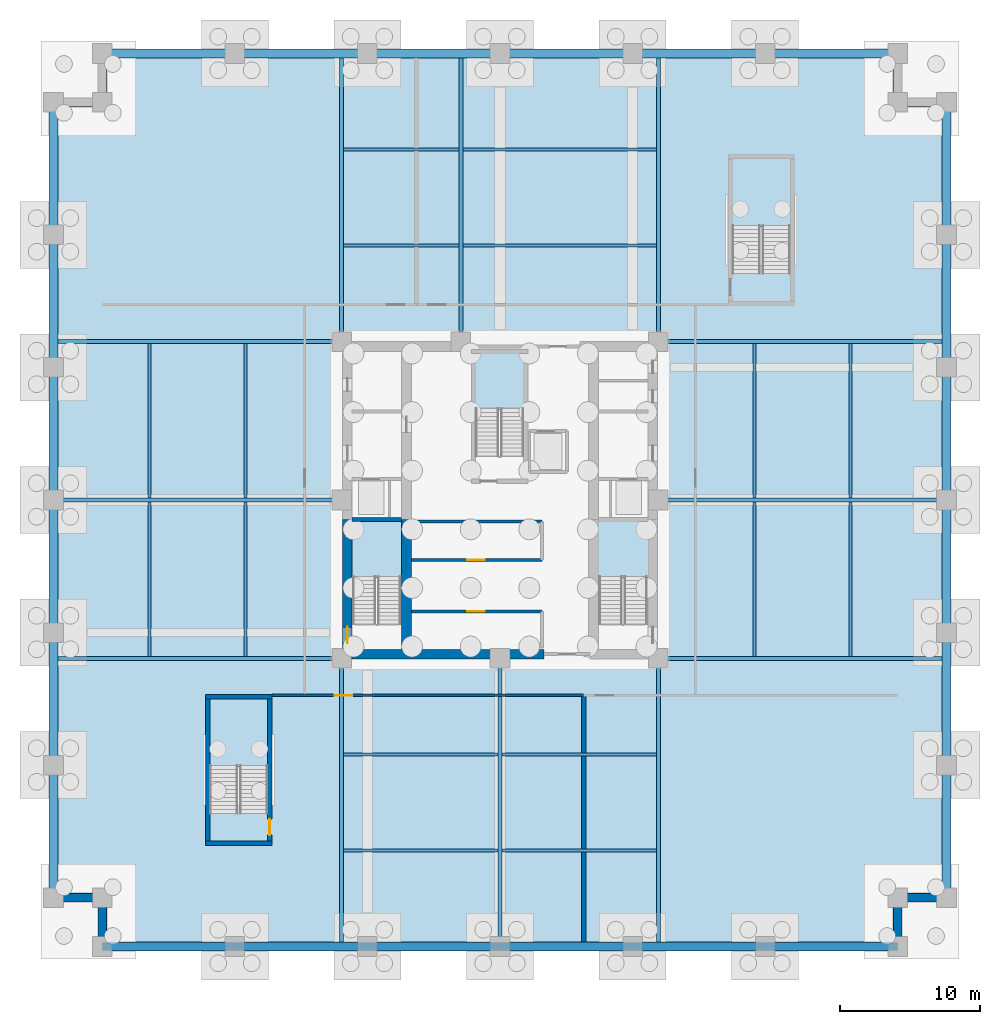
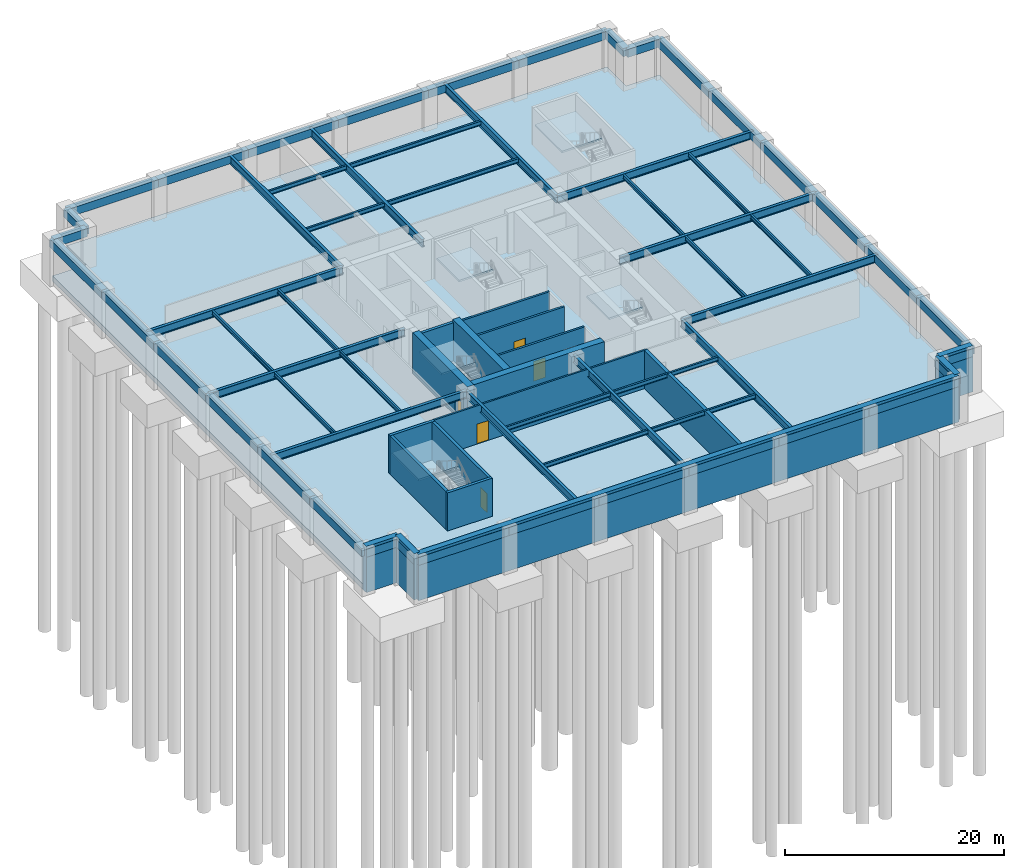
# One storey, part 2 of 8: 60 beams, 18 walls, 6 slabs, 5 doors, 5 openings, 5 elements without a shape of their own.
"""IFC4 building model written with IfcOpenShell, lengths in metres."""

from ifc_helpers import new_model, si_unit, direction, frame, frame_2d, origin, origin_2d, place, context, subcontext, project, spatial, polyline, rectangle, i_section, outline, extrude, material, layer, layer_set, material_profile, profile_set, type_object, element, fill, aggregate, save


model = new_model("IFC4")

# Units and contexts
model_context = context("Model", 3, precision=1e-05, world=origin(), true_north=direction((0.0, 1.0)))
body_context = subcontext(model_context, "Body", "Model", "MODEL_VIEW")
ifc_project = project(units=[si_unit("LENGTHUNIT", "METRE"), si_unit("AREAUNIT", "SQUARE_METRE"), si_unit("VOLUMEUNIT", "CUBIC_METRE"), si_unit("PLANEANGLEUNIT", "RADIAN"), si_unit("MASSUNIT", "GRAM", prefix="KILO")], contexts=[model_context])

# Site, building, storey
site_placement = place(None, origin())
site = spatial("IfcSite", under=ifc_project, at=site_placement, CompositionType="ELEMENT")
building_placement = place(site_placement, origin())
building = spatial("IfcBuilding", under=site, at=building_placement, Name="Nhamokura Convention Tower", CompositionType="ELEMENT")
storey_placement = place(building_placement, frame((0.0, 0.0, -9.10009765625)))
storey = spatial("IfcBuildingStorey", under=building, at=storey_placement, Name="B02", CompositionType="ELEMENT", Elevation=-9.10009765625)

# Beams
ifc_material_1 = material(Name="Steel ASTM A992 Gr 50", Category="steel")
ifc_material_profile_1 = material_profile(ifc_material_1, i_section(OverallWidth=0.19189453125, OverallDepth=0.462890625, WebThickness=0.010498046875, FlangeThickness=0.017578125, at=origin_2d()))
ifc_profile_set_1 = profile_set([ifc_material_profile_1], Name="Steel ASTM A992 Gr 50")
beam_type_1 = type_object("IfcBeamType", Name="FloorJoist_W460X89", PredefinedType="JOIST", material=ifc_profile_set_1)
for number, where, z_axis, x_axis, name in (
    (1, (20.794921875, 6.88330078125, 4.0185546875), (1.0, 0.0, 0.0), (0.0, 1.0, 0.0), "B02 Composite Floor Joist S1A"),
    (2, (32.14501953125, 6.88330078125, 4.0185546875), (1.0, 0.0, 0.0), (0.0, 1.0, 0.0), "B02 Composite Floor Joist S1B"),
    (3, (20.794921875, 13.7666015625, 4.0185546875), (1.0, 0.0, 0.0), (0.0, 1.0, 0.0), "B02 Composite Floor Joist S2A"),
    (4, (32.14501953125, 13.7666015625, 4.0185546875), (1.0, 0.0, 0.0), (0.0, 1.0, 0.0), "B02 Composite Floor Joist S2B"),
):
    element("IfcBeam", number, at=place(storey_placement, frame(where, z_axis=z_axis, x_axis=x_axis)), inside=storey, type_object=beam_type_1, Name=name, PredefinedType="JOIST", context=body_context, shape_type="SweptSolid", body=[
        extrude(i_section(OverallWidth=0.19189453125, OverallDepth=0.462890625, WebThickness=0.010498046875, FlangeThickness=0.017578125, at=origin_2d()), origin(), (0.0, 0.0, 1.0), 11.06005859375),
    ])
beam_1_placement = place(storey_placement, frame((20.794921875, 50.2333984375, 4.0185546875), z_axis=(1.0, 0.0, 0.0), x_axis=(0.0, 1.0, 0.0)))
element("IfcBeam", 5, at=beam_1_placement, inside=storey, type_object=beam_type_1, Name="B02 Composite Floor Joist N1A", PredefinedType="JOIST", context=body_context, shape_type="SweptSolid", body=[
    extrude(i_section(OverallWidth=0.19189453125, OverallDepth=0.462890625, WebThickness=0.010498046875, FlangeThickness=0.017578125, at=origin_2d()), origin(), (0.0, 0.0, 1.0), 8.260009765625),
])
beam_2_placement = place(storey_placement, frame((29.344970703125, 50.2333984375, 4.0185546875), z_axis=(1.0, 0.0, 0.0), x_axis=(0.0, 1.0, 0.0)))
element("IfcBeam", 6, at=beam_2_placement, inside=storey, type_object=beam_type_1, Name="B02 Composite Floor Joist N1B", PredefinedType="JOIST", context=body_context, shape_type="SweptSolid", body=[
    extrude(i_section(OverallWidth=0.19189453125, OverallDepth=0.462890625, WebThickness=0.010498046875, FlangeThickness=0.017578125, at=origin_2d()), origin(), (0.0, 0.0, 1.0), 13.860107421875),
])
beam_3_placement = place(storey_placement, frame((20.794921875, 57.11669921875, 4.0185546875), z_axis=(1.0, 0.0, 0.0), x_axis=(0.0, 1.0, 0.0)))
element("IfcBeam", 7, at=beam_3_placement, inside=storey, type_object=beam_type_1, Name="B02 Composite Floor Joist N2A", PredefinedType="JOIST", context=body_context, shape_type="SweptSolid", body=[
    extrude(i_section(OverallWidth=0.19189453125, OverallDepth=0.462890625, WebThickness=0.010498046875, FlangeThickness=0.017578125, at=origin_2d()), origin(), (0.0, 0.0, 1.0), 8.260009765625),
])
beam_4_placement = place(storey_placement, frame((29.344970703125, 57.11669921875, 4.0185546875), z_axis=(1.0, 0.0, 0.0), x_axis=(0.0, 1.0, 0.0)))
element("IfcBeam", 8, at=beam_4_placement, inside=storey, type_object=beam_type_1, Name="B02 Composite Floor Joist N2B", PredefinedType="JOIST", context=body_context, shape_type="SweptSolid", body=[
    extrude(i_section(OverallWidth=0.19189453125, OverallDepth=0.462890625, WebThickness=0.010498046875, FlangeThickness=0.017578125, at=origin_2d()), origin(), (0.0, 0.0, 1.0), 13.860107421875),
])
for number, where, z_axis, x_axis, name in (
    (9, (6.88330078125, 20.794921875, 4.0185546875), (0.0, 1.0, 0.0), (-1.0, 0.0, 0.0), "B02 Composite Floor Joist W1A"),
    (10, (6.88330078125, 32.14501953125, 4.0185546875), (0.0, 1.0, 0.0), (-1.0, 0.0, 0.0), "B02 Composite Floor Joist W1B"),
    (11, (13.7666015625, 20.794921875, 4.0185546875), (0.0, 1.0, 0.0), (-1.0, 0.0, 0.0), "B02 Composite Floor Joist W2A"),
    (12, (13.7666015625, 32.14501953125, 4.0185546875), (0.0, 1.0, 0.0), (-1.0, 0.0, 0.0), "B02 Composite Floor Joist W2B"),
    (13, (50.2333984375, 20.794921875, 4.0185546875), (0.0, 1.0, 0.0), (-1.0, 0.0, 0.0), "B02 Composite Floor Joist E1A"),
    (14, (50.2333984375, 32.14501953125, 4.0185546875), (0.0, 1.0, 0.0), (-1.0, 0.0, 0.0), "B02 Composite Floor Joist E1B"),
    (15, (57.11669921875, 20.794921875, 4.0185546875), (0.0, 1.0, 0.0), (-1.0, 0.0, 0.0), "B02 Composite Floor Joist E2A"),
    (16, (57.11669921875, 32.14501953125, 4.0185546875), (0.0, 1.0, 0.0), (-1.0, 0.0, 0.0), "B02 Composite Floor Joist E2B"),
):
    element("IfcBeam", number, at=place(storey_placement, frame(where, z_axis=z_axis, x_axis=x_axis)), inside=storey, type_object=beam_type_1, Name=name, PredefinedType="JOIST", context=body_context, shape_type="SweptSolid", body=[
        extrude(i_section(OverallWidth=0.19189453125, OverallDepth=0.462890625, WebThickness=0.010498046875, FlangeThickness=0.017578125, at=origin_2d()), origin(), (0.0, 0.0, 1.0), 11.06005859375),
    ])
ifc_material_2 = material(Name="Steel ASTM A992 Gr 50", Category="steel")
ifc_material_profile_2 = material_profile(ifc_material_2, i_section(OverallWidth=0.2939453125, OverallDepth=0.85107421875, WebThickness=0.01611328125, FlangeThickness=0.02685546875, at=origin_2d()))
ifc_profile_set_2 = profile_set([ifc_material_profile_2], Name="Steel ASTM A992 Gr 50")
beam_type_2 = type_object("IfcBeamType", Name="HallGirder_W840X226", PredefinedType="BEAM", material=ifc_profile_set_2)
for number, where, z_axis, x_axis, name in (
    (17, (20.64990234375, 0.0, 3.82470703125), (0.0, 1.0, 0.0), (-1.0, 0.0, 0.0), "B02 Primary Floor Girder PG-S1"),
    (18, (32.0, 0.0, 3.82470703125), (0.0, 1.0, 0.0), (-1.0, 0.0, 0.0), "B02 Primary Floor Girder PG-S2"),
    (19, (43.35009765625, 0.0, 3.82470703125), (0.0, 1.0, 0.0), (-1.0, 0.0, 0.0), "B02 Primary Floor Girder PG-S3"),
    (20, (20.64990234375, 43.35009765625, 3.82470703125), (0.0, 1.0, 0.0), (-1.0, 0.0, 0.0), "B02 Primary Floor Girder PG-N1"),
    (21, (29.199951171875, 43.35009765625, 3.82470703125), (0.0, 1.0, 0.0), (-1.0, 0.0, 0.0), "B02 Primary Floor Girder PG-N2"),
    (22, (43.35009765625, 43.35009765625, 3.82470703125), (0.0, 1.0, 0.0), (-1.0, 0.0, 0.0), "B02 Primary Floor Girder PG-N3"),
    (23, (0.0, 20.64990234375, 3.82470703125), (1.0, 0.0, 0.0), (0.0, 1.0, 0.0), "B02 Primary Floor Girder PG-W1"),
    (24, (0.0, 32.0, 3.82470703125), (1.0, 0.0, 0.0), (0.0, 1.0, 0.0), "B02 Primary Floor Girder PG-W2"),
    (25, (0.0, 43.35009765625, 3.82470703125), (1.0, 0.0, 0.0), (0.0, 1.0, 0.0), "B02 Primary Floor Girder PG-W3"),
    (26, (43.35009765625, 20.64990234375, 3.82470703125), (1.0, 0.0, 0.0), (0.0, 1.0, 0.0), "B02 Primary Floor Girder PG-E1"),
    (27, (43.35009765625, 32.0, 3.82470703125), (1.0, 0.0, 0.0), (0.0, 1.0, 0.0), "B02 Primary Floor Girder PG-E2"),
    (28, (43.35009765625, 43.35009765625, 3.82470703125), (1.0, 0.0, 0.0), (0.0, 1.0, 0.0), "B02 Primary Floor Girder PG-E3"),
):
    element("IfcBeam", number, at=place(storey_placement, frame(where, z_axis=z_axis, x_axis=x_axis)), inside=storey, type_object=beam_type_2, Name=name, PredefinedType="BEAM", context=body_context, shape_type="SweptSolid", body=[
        extrude(i_section(OverallWidth=0.2939453125, OverallDepth=0.85107421875, WebThickness=0.01611328125, FlangeThickness=0.02685546875, at=origin_2d()), origin(), (0.0, 0.0, 1.0), 20.64990234375),
    ])
ifc_material_3 = material(Name="Concrete C60/75", Category="concrete")
ifc_material_profile_3 = material_profile(ifc_material_3, rectangle(XDim=0.64990234375, YDim=0.89990234375, at=origin_2d()))
ifc_profile_set_3 = profile_set([ifc_material_profile_3], Name="Concrete C60/75")
beam_type_3 = type_object("IfcBeamType", Name="TubeSpandrel_900", PredefinedType="SPANDREL", material=ifc_profile_set_3)
for number, where, z_axis, x_axis, name in (
    (29, (3.5, 0.0, 3.800048828125), (1.0, 0.0, 0.0), (0.0, 1.0, 0.0), "B02 Perimeter Spandrel SOUTH 1"),
    (30, (13.0, 0.0, 3.800048828125), (1.0, 0.0, 0.0), (0.0, 1.0, 0.0), "B02 Perimeter Spandrel SOUTH 2"),
    (31, (22.5, 0.0, 3.800048828125), (1.0, 0.0, 0.0), (0.0, 1.0, 0.0), "B02 Perimeter Spandrel SOUTH 3"),
    (32, (32.0, 0.0, 3.800048828125), (1.0, 0.0, 0.0), (0.0, 1.0, 0.0), "B02 Perimeter Spandrel SOUTH 4"),
    (33, (41.5, 0.0, 3.800048828125), (1.0, 0.0, 0.0), (0.0, 1.0, 0.0), "B02 Perimeter Spandrel SOUTH 5"),
    (34, (51.0, 0.0, 3.800048828125), (1.0, 0.0, 0.0), (0.0, 1.0, 0.0), "B02 Perimeter Spandrel SOUTH 6"),
    (35, (3.5, 64.0, 3.800048828125), (1.0, 0.0, 0.0), (0.0, 1.0, 0.0), "B02 Perimeter Spandrel NORTH 1"),
    (36, (13.0, 64.0, 3.800048828125), (1.0, 0.0, 0.0), (0.0, 1.0, 0.0), "B02 Perimeter Spandrel NORTH 2"),
    (37, (22.5, 64.0, 3.800048828125), (1.0, 0.0, 0.0), (0.0, 1.0, 0.0), "B02 Perimeter Spandrel NORTH 3"),
    (38, (32.0, 64.0, 3.800048828125), (1.0, 0.0, 0.0), (0.0, 1.0, 0.0), "B02 Perimeter Spandrel NORTH 4"),
    (39, (41.5, 64.0, 3.800048828125), (1.0, 0.0, 0.0), (0.0, 1.0, 0.0), "B02 Perimeter Spandrel NORTH 5"),
    (40, (51.0, 64.0, 3.800048828125), (1.0, 0.0, 0.0), (0.0, 1.0, 0.0), "B02 Perimeter Spandrel NORTH 6"),
    (41, (0.0, 3.5, 3.800048828125), (0.0, 1.0, 0.0), (-1.0, 0.0, 0.0), "B02 Perimeter Spandrel WEST 1"),
    (42, (0.0, 13.0, 3.800048828125), (0.0, 1.0, 0.0), (-1.0, 0.0, 0.0), "B02 Perimeter Spandrel WEST 2"),
    (43, (0.0, 22.5, 3.800048828125), (0.0, 1.0, 0.0), (-1.0, 0.0, 0.0), "B02 Perimeter Spandrel WEST 3"),
    (44, (0.0, 32.0, 3.800048828125), (0.0, 1.0, 0.0), (-1.0, 0.0, 0.0), "B02 Perimeter Spandrel WEST 4"),
    (45, (0.0, 41.5, 3.800048828125), (0.0, 1.0, 0.0), (-1.0, 0.0, 0.0), "B02 Perimeter Spandrel WEST 5"),
    (46, (0.0, 51.0, 3.800048828125), (0.0, 1.0, 0.0), (-1.0, 0.0, 0.0), "B02 Perimeter Spandrel WEST 6"),
    (47, (64.0, 3.5, 3.800048828125), (0.0, 1.0, 0.0), (-1.0, 0.0, 0.0), "B02 Perimeter Spandrel EAST 1"),
    (48, (64.0, 13.0, 3.800048828125), (0.0, 1.0, 0.0), (-1.0, 0.0, 0.0), "B02 Perimeter Spandrel EAST 2"),
    (49, (64.0, 22.5, 3.800048828125), (0.0, 1.0, 0.0), (-1.0, 0.0, 0.0), "B02 Perimeter Spandrel EAST 3"),
    (50, (64.0, 32.0, 3.800048828125), (0.0, 1.0, 0.0), (-1.0, 0.0, 0.0), "B02 Perimeter Spandrel EAST 4"),
    (51, (64.0, 41.5, 3.800048828125), (0.0, 1.0, 0.0), (-1.0, 0.0, 0.0), "B02 Perimeter Spandrel EAST 5"),
    (52, (64.0, 51.0, 3.800048828125), (0.0, 1.0, 0.0), (-1.0, 0.0, 0.0), "B02 Perimeter Spandrel EAST 6"),
):
    element("IfcBeam", number, at=place(storey_placement, frame(where, z_axis=z_axis, x_axis=x_axis)), inside=storey, type_object=beam_type_3, Name=name, PredefinedType="SPANDREL", context=body_context, shape_type="SweptSolid", body=[
        extrude(rectangle(XDim=0.64990234375, YDim=0.89990234375, at=origin_2d()), origin(), (0.0, 0.0, 1.0), 9.5),
    ])
for number, where, z_axis, x_axis, name in (
    (53, (3.5, 0.0, 3.800048828125), (0.0, 1.0, 0.0), (-1.0, 0.0, 0.0), "B02 Notch Spandrel SW1"),
    (54, (3.5, 3.5, 3.800048828125), (-1.0, 0.0, 0.0), (0.0, -1.0, 0.0), "B02 Notch Spandrel SW2"),
    (55, (60.5, 0.0, 3.800048828125), (0.0, 1.0, 0.0), (-1.0, 0.0, 0.0), "B02 Notch Spandrel SE1"),
    (56, (60.5, 3.5, 3.800048828125), (1.0, 0.0, 0.0), (0.0, 1.0, 0.0), "B02 Notch Spandrel SE2"),
    (57, (64.0, 60.5, 3.800048828125), (-1.0, 0.0, 0.0), (0.0, -1.0, 0.0), "B02 Notch Spandrel NE1"),
    (58, (60.5, 60.5, 3.800048828125), (0.0, 1.0, 0.0), (-1.0, 0.0, 0.0), "B02 Notch Spandrel NE2"),
    (59, (3.5, 64.0, 3.800048828125), (0.0, -1.0, 0.0), (1.0, 0.0, 0.0), "B02 Notch Spandrel NW1"),
    (60, (3.5, 60.5, 3.800048828125), (-1.0, 0.0, 0.0), (0.0, -1.0, 0.0), "B02 Notch Spandrel NW2"),
):
    element("IfcBeam", number, at=place(storey_placement, frame(where, z_axis=z_axis, x_axis=x_axis)), inside=storey, type_object=beam_type_3, Name=name, PredefinedType="SPANDREL", context=body_context, shape_type="SweptSolid", body=[
        extrude(rectangle(XDim=0.64990234375, YDim=0.89990234375, at=origin_2d()), origin(), (0.0, 0.0, 1.0), 3.5),
    ])

# Slab
ifc_material_4 = material(Name="Concrete C50/60", Category="concrete")
ifc_layer_1 = layer(ifc_material_4, 0.60009765625)
ifc_layer_set_1 = layer_set([ifc_layer_1], Name="BasementBaseSlab_600")
slab_type_1 = type_object("IfcSlabType", Name="BasementBaseSlab_600", PredefinedType="BASESLAB", material=ifc_layer_set_1)
slab_1_placement = place(storey_placement, frame((0.0, 0.0, -0.599853515625)))
element("IfcSlab", 61, at=slab_1_placement, inside=storey, type_object=slab_type_1, Name="B02 Structural Floor Slab", PredefinedType="BASESLAB", context=body_context, shape_type="SweptSolid", body=[
    extrude(outline(polyline([(3.5, 0.0), (60.5, 0.0), (60.5, 3.5), (64.0, 3.5), (64.0, 60.5), (60.5, 60.5), (60.5, 64.0), (3.5, 64.0), (3.5, 60.5), (0.0, 60.5), (0.0, 3.5), (3.5, 3.5), (3.5, 0.0)])), origin(), (0.0, 0.0, 1.0), 0.599853515625),
])

# Stair, slab
ifc_material_5 = material(Name="Concrete C40/50", Category="concrete")
stair_type_1 = type_object("IfcStairType", Name="TowerCoreStair_1650", PredefinedType="HALF_TURN_STAIR", material=ifc_material_5)
stair_1_placement = place(storey_placement, origin())
stair_1 = element("IfcStair", 62, at=stair_1_placement, inside=storey, type_object=stair_type_1, Name="B02 West Core Smokeproof Stair ST-01", PredefinedType="HALF_TURN_STAIR")
ifc_material_6 = material(Name="Concrete C40/50", Category="concrete")
ifc_layer_2 = layer(ifc_material_6, 0.199951171875)
ifc_layer_set_2 = layer_set([ifc_layer_2], Name="StairLandingSlab_200")
slab_type_2 = type_object("IfcSlabType", Name="StairLandingSlab_200", PredefinedType="LANDING", material=ifc_layer_set_2)
slab_2_placement = place(storey_placement, frame((0.0, 0.0, 2.0751953125)))
slab_2 = element("IfcSlab", 63, at=slab_2_placement, type_object=slab_type_2, Name="ST-01 landing 1", PredefinedType="LANDING", context=body_context, shape_type="SweptSolid", body=[
    extrude(outline(polyline([(24.97998046875, 26.43994140625), (24.97998046875, 30.530029296875), (21.3701171875, 30.530029296875), (21.3701171875, 26.43994140625), (24.97998046875, 26.43994140625)])), origin(), (0.0, 0.0, 1.0), 0.199951171875),
])
aggregate(stair_1, [slab_2])

stair_2_placement = place(storey_placement, origin())
stair_2 = element("IfcStair", 64, at=stair_2_placement, inside=storey, type_object=stair_type_1, Name="B02 East Core Smokeproof Stair ST-02", PredefinedType="HALF_TURN_STAIR")
slab_3_placement = place(storey_placement, frame((0.0, 0.0, 2.0751953125)))
slab_3 = element("IfcSlab", 65, at=slab_3_placement, type_object=slab_type_2, Name="ST-02 landing 1", PredefinedType="LANDING", context=body_context, shape_type="SweptSolid", body=[
    extrude(outline(polyline([(42.6298828125, 26.43994140625), (42.6298828125, 30.530029296875), (39.02001953125, 30.530029296875), (39.02001953125, 26.43994140625), (42.6298828125, 26.43994140625)])), origin(), (0.0, 0.0, 1.0), 0.199951171875),
])
aggregate(stair_2, [slab_3])

stair_3_placement = place(storey_placement, origin())
stair_3 = element("IfcStair", 66, at=stair_3_placement, inside=storey, type_object=stair_type_1, Name="B02 North Core Smokeproof Stair ST-03", PredefinedType="HALF_TURN_STAIR")
slab_4_placement = place(storey_placement, frame((0.0, 0.0, 2.0751953125)))
slab_4 = element("IfcSlab", 67, at=slab_4_placement, type_object=slab_type_2, Name="ST-03 landing 1", PredefinedType="LANDING", context=body_context, shape_type="SweptSolid", body=[
    extrude(outline(polyline([(33.780029296875, 38.489990234375), (33.780029296875, 42.580078125), (30.169921875, 42.580078125), (30.169921875, 38.489990234375), (33.780029296875, 38.489990234375)])), origin(), (0.0, 0.0, 1.0), 0.199951171875),
])
aggregate(stair_3, [slab_4])

ifc_material_7 = material(Name="Concrete C40/50", Category="concrete")
stair_type_2 = type_object("IfcStairType", Name="PodiumExitStair_2000", PredefinedType="HALF_TURN_STAIR", material=ifc_material_7)
stair_4_placement = place(storey_placement, origin())
stair_4 = element("IfcStair", 68, at=stair_4_placement, inside=storey, type_object=stair_type_2, Name="B02 South-West Podium Smokeproof Stair ST-04", PredefinedType="HALF_TURN_STAIR")
slab_5_placement = place(storey_placement, frame((0.0, 0.0, 2.0751953125)))
slab_5 = element("IfcSlab", 69, at=slab_5_placement, type_object=slab_type_2, Name="ST-04 landing 1", PredefinedType="LANDING", context=body_context, shape_type="SweptSolid", body=[
    extrude(outline(polyline([(15.429931640625, 12.889892578125), (15.429931640625, 17.830078125), (11.1201171875, 17.830078125), (11.1201171875, 12.889892578125), (15.429931640625, 12.889892578125)])), origin(), (0.0, 0.0, 1.0), 0.199951171875),
])
aggregate(stair_4, [slab_5])

stair_5_placement = place(storey_placement, origin())
stair_5 = element("IfcStair", 70, at=stair_5_placement, inside=storey, type_object=stair_type_2, Name="B02 North-East Podium Smokeproof Stair ST-05", PredefinedType="HALF_TURN_STAIR")
slab_6_placement = place(storey_placement, frame((0.0, 0.0, 2.0751953125)))
slab_6 = element("IfcSlab", 71, at=slab_6_placement, type_object=slab_type_2, Name="ST-05 landing 1", PredefinedType="LANDING", context=body_context, shape_type="SweptSolid", body=[
    extrude(outline(polyline([(52.8798828125, 51.590087890625), (52.8798828125, 56.530029296875), (48.570068359375, 56.530029296875), (48.570068359375, 51.590087890625), (52.8798828125, 51.590087890625)])), origin(), (0.0, 0.0, 1.0), 0.199951171875),
])
aggregate(stair_5, [slab_6])

# Walls
ifc_material_8 = material(Name="Concrete C50/60", Category="concrete")
ifc_layer_3 = layer(ifc_material_8, 0.60009765625)
ifc_layer_set_3 = layer_set([ifc_layer_3], Name="BasementRetainingWall_600")
wall_type_1 = type_object("IfcWallType", Name="BasementRetainingWall_600", PredefinedType="USERDEFINED", material=ifc_layer_set_3)
wall_1_placement = place(storey_placement, frame((3.5, 0.0, -0.599853515625), z_axis=(0.0, 0.0, 1.0), x_axis=(1.0, 0.0, 0.0)))
element("IfcWall", 72, at=wall_1_placement, inside=storey, type_object=wall_type_1, Name="B02 Perimeter Retaining Wall 01", ObjectType="RETAININGWALL", PredefinedType="USERDEFINED", context=body_context, shape_type="SweptSolid", body=[
    extrude(rectangle(XDim=57.0, YDim=0.60009765625, at=frame_2d((28.5, 0.0))), origin(), (0.0, 0.0, 1.0), 5.14990234375),
])
for number, where, z_axis, x_axis, name in (
    (73, (60.5, 0.0, -0.599853515625), (0.0, 0.0, 1.0), (0.0, 1.0, 0.0), "B02 Perimeter Retaining Wall 02"),
    (74, (60.5, 3.5, -0.599853515625), (0.0, 0.0, 1.0), (1.0, 0.0, 0.0), "B02 Perimeter Retaining Wall 03"),
    (75, (0.0, 3.5, -0.599853515625), (0.0, 0.0, 1.0), (1.0, 0.0, 0.0), "B02 Perimeter Retaining Wall 11"),
    (76, (3.5, 3.5, -0.599853515625), (0.0, 0.0, 1.0), (0.0, -1.0, 0.0), "B02 Perimeter Retaining Wall 12"),
):
    element("IfcWall", number, at=place(storey_placement, frame(where, z_axis=z_axis, x_axis=x_axis)), inside=storey, type_object=wall_type_1, Name=name, ObjectType="RETAININGWALL", PredefinedType="USERDEFINED", context=body_context, shape_type="SweptSolid", body=[
        extrude(rectangle(XDim=3.5, YDim=0.60009765625, at=frame_2d((1.75, 0.0))), origin(), (0.0, 0.0, 1.0), 5.14990234375),
    ])

# Wall, opening, door
ifc_material_9 = material(Name="Concrete C70/85", Category="concrete")
ifc_layer_4 = layer(ifc_material_9, 0.699951171875)
ifc_layer_set_4 = layer_set([ifc_layer_4], Name="CoreShearWall_700")
wall_type_2 = type_object("IfcWallType", Name="CoreShearWall_700", PredefinedType="SHEAR", material=ifc_layer_set_4)
wall_2_placement = place(storey_placement, frame((21.06005859375, 20.60009765625, -0.599853515625), z_axis=(0.0, 0.0, 1.0), x_axis=(0.0, 1.0, 0.0)))
wall_2 = element("IfcWall", 77, at=wall_2_placement, inside=storey, type_object=wall_type_2, Name="B02 Core Shear Wall CW-WS", PredefinedType="SHEAR", context=body_context, shape_type="SweptSolid", body=[
    extrude(rectangle(XDim=10.0, YDim=0.699951171875, at=frame_2d((5.0, 0.0))), origin(), (0.0, 0.0, 1.0), 5.14990234375),
])
opening_1_placement = place(wall_2_placement, frame((1.14990234375, 0.0, 0.60009765625)))
opening_1 = element("IfcOpeningElement", 78, at=opening_1_placement, cuts=wall_2, Name="Opening D-04", PredefinedType="OPENING", context=body_context, shape_type="SweptSolid", body=[
    extrude(rectangle(XDim=1.14990234375, YDim=2.14990234375, at=frame_2d((0.574951171875, 1.074951171875))), frame((0.0, 0.35986328125, 0.0), z_axis=(0.0, -1.0, 0.0), x_axis=(1.0, 0.0, 0.0)), (0.0, 0.0, 1.0), 0.719970703125),
])
ifc_material_10 = material(Name="Fire-rated steel door", Category="steel")
door_type_1 = type_object("IfcDoorType", Name="StairSmokeDoor_1150", OperationType="NOTDEFINED", PredefinedType="DOOR", material=ifc_material_10)
door_1_placement = place(opening_1_placement, origin())
door_1 = element("IfcDoor", 79, at=door_1_placement, inside=storey, type_object=door_type_1, Name="B02 Core Door INT-B02-D-ST01", OperationType="SINGLE_SWING_LEFT", OverallHeight=2.14990234375, OverallWidth=1.14990234375, PredefinedType="DOOR", context=body_context, shape_type="SweptSolid", body=[
    extrude(rectangle(XDim=1.14990234375, YDim=2.14990234375, at=frame_2d((0.574951171875, 1.074951171875))), frame((0.0, 0.02490234375, 0.0), z_axis=(0.0, -1.0, 0.0), x_axis=(1.0, 0.0, 0.0)), (0.0, 0.0, 1.0), 0.050048828125),
])
fill(opening_1, door_1)

# Walls
wall_3_placement = place(storey_placement, frame((21.409912109375, 20.949951171875, -0.599853515625), z_axis=(0.0, 0.0, 1.0), x_axis=(1.0, 0.0, 0.0)))
element("IfcWall", 80, at=wall_3_placement, inside=storey, type_object=wall_type_2, Name="B02 Core Shear Wall CW-S1", PredefinedType="SHEAR", context=body_context, shape_type="SweptSolid", body=[
    extrude(rectangle(XDim=13.739990234375, YDim=0.699951171875, at=frame_2d((6.8701171875, 0.0))), origin(), (0.0, 0.0, 1.0), 5.14990234375),
])
wall_4_placement = place(storey_placement, frame((25.2900390625, 21.300048828125, -0.599853515625), z_axis=(0.0, 0.0, 1.0), x_axis=(0.0, 1.0, 0.0)))
element("IfcWall", 81, at=wall_4_placement, inside=storey, type_object=wall_type_2, Name="B02 Core Shear Wall CW-IWS", PredefinedType="SHEAR", context=body_context, shape_type="SweptSolid", body=[
    extrude(rectangle(XDim=9.300048828125, YDim=0.699951171875, at=frame_2d((4.64990234375, 0.0))), origin(), (0.0, 0.0, 1.0), 5.14990234375),
])

# Wall, opening, door
ifc_material_11 = material(Name="Fire-rated gypsum and masonry partition", Category="masonry")
ifc_layer_5 = layer(ifc_material_11, 0.179931640625)
ifc_layer_set_5 = layer_set([ifc_layer_5], Name="CorridorRatedWall_180")
wall_type_3 = type_object("IfcWallType", Name="CorridorRatedWall_180", PredefinedType="STANDARD", material=ifc_layer_set_5)
wall_5_placement = place(storey_placement, frame((15.64990234375, 18.0, 0.0), z_axis=(0.0, 0.0, 1.0), x_axis=(1.0, 0.0, 0.0)))
wall_5 = element("IfcWall", 82, at=wall_5_placement, inside=storey, type_object=wall_type_3, Name="B02 Wall INT-B02-CW-S00", PredefinedType="STANDARD", context=body_context, shape_type="SweptSolid", body=[
    extrude(rectangle(XDim=22.35009765625, YDim=0.179931640625, at=frame_2d((11.175048828125, 0.0))), origin(), (0.0, 0.0, 1.0), 4.25),
])
opening_2_placement = place(wall_5_placement, frame((4.5, 0.0, 0.0)))
opening_2 = element("IfcOpeningElement", 83, at=opening_2_placement, cuts=wall_5, Name="Opening D-12", PredefinedType="OPENING", context=body_context, shape_type="SweptSolid", body=[
    extrude(rectangle(XDim=1.25, YDim=2.199951171875, at=frame_2d((0.625, 1.10009765625))), frame((0.0, 0.099853515625, 0.0), z_axis=(0.0, -1.0, 0.0), x_axis=(1.0, 0.0, 0.0)), (0.0, 0.0, 1.0), 0.199951171875),
])
ifc_material_12 = material(Name="Fire-rated steel door", Category="steel")
door_type_2 = type_object("IfcDoorType", Name="PlantServiceDoor_1250", OperationType="NOTDEFINED", PredefinedType="DOOR", material=ifc_material_12)
door_2_placement = place(opening_2_placement, origin())
door_2 = element("IfcDoor", 84, at=door_2_placement, inside=storey, type_object=door_type_2, Name="B02 Fire and Domestic Water Tank Hall S01 Door", OperationType="SINGLE_SWING_LEFT", OverallHeight=2.199951171875, OverallWidth=1.25, PredefinedType="DOOR", context=body_context, shape_type="SweptSolid", body=[
    extrude(rectangle(XDim=1.25, YDim=2.199951171875, at=frame_2d((0.625, 1.10009765625))), frame((0.0, 0.02490234375, 0.0), z_axis=(0.0, -1.0, 0.0), x_axis=(1.0, 0.0, 0.0)), (0.0, 0.0, 1.0), 0.050048828125),
])
fill(opening_2, door_2)

ifc_material_13 = material(Name="Autoclaved concrete blockwork", Category="masonry")
ifc_layer_6 = layer(ifc_material_13, 0.219970703125)
ifc_layer_set_6 = layer_set([ifc_layer_6], Name="FireLobbyWall_220")
wall_type_4 = type_object("IfcWallType", Name="FireLobbyWall_220", PredefinedType="STANDARD", material=ifc_layer_set_6)
wall_6_placement = place(storey_placement, frame((25.64990234375, 24.0, 0.0), z_axis=(0.0, 0.0, 1.0), x_axis=(1.0, 0.0, 0.0)))
wall_6 = element("IfcWall", 85, at=wall_6_placement, inside=storey, type_object=wall_type_4, Name="B02 Wall INT-B02-B1W", PredefinedType="STANDARD", context=body_context, shape_type="SweptSolid", body=[
    extrude(rectangle(XDim=9.35009765625, YDim=0.219970703125, at=frame_2d((4.675048828125, 0.0))), origin(), (0.0, 0.0, 1.0), 4.25),
])
opening_3_placement = place(wall_6_placement, frame((4.0, 0.0, 0.0)))
opening_3 = element("IfcOpeningElement", 86, at=opening_3_placement, cuts=wall_6, Name="Opening D-12", PredefinedType="OPENING", context=body_context, shape_type="SweptSolid", body=[
    extrude(rectangle(XDim=1.25, YDim=2.199951171875, at=frame_2d((0.625, 1.10009765625))), frame((0.0, 0.119873046875, 0.0), z_axis=(0.0, -1.0, 0.0), x_axis=(1.0, 0.0, 0.0)), (0.0, 0.0, 1.0), 0.239990234375),
])
door_3_placement = place(opening_3_placement, origin())
door_3 = element("IfcDoor", 87, at=door_3_placement, inside=storey, type_object=door_type_2, Name="B02 Riser Access Door", OperationType="SINGLE_SWING_LEFT", OverallHeight=2.199951171875, OverallWidth=1.25, PredefinedType="DOOR", context=body_context, shape_type="SweptSolid", body=[
    extrude(rectangle(XDim=1.25, YDim=2.199951171875, at=frame_2d((0.625, 1.10009765625))), frame((0.0, 0.02490234375, 0.0), z_axis=(0.0, -1.0, 0.0), x_axis=(1.0, 0.0, 0.0)), (0.0, 0.0, 1.0), 0.050048828125),
])
fill(opening_3, door_3)

wall_7_placement = place(storey_placement, frame((25.64990234375, 27.699951171875, 0.0), z_axis=(0.0, 0.0, 1.0), x_axis=(1.0, 0.0, 0.0)))
wall_7 = element("IfcWall", 88, at=wall_7_placement, inside=storey, type_object=wall_type_4, Name="B02 Wall INT-B02-B2S", PredefinedType="STANDARD", context=body_context, shape_type="SweptSolid", body=[
    extrude(rectangle(XDim=9.35009765625, YDim=0.219970703125, at=frame_2d((4.675048828125, 0.0))), origin(), (0.0, 0.0, 1.0), 4.25),
])
opening_4_placement = place(wall_7_placement, frame((4.0, 0.0, 0.0)))
opening_4 = element("IfcOpeningElement", 89, at=opening_4_placement, cuts=wall_7, Name="Opening D-12", PredefinedType="OPENING", context=body_context, shape_type="SweptSolid", body=[
    extrude(rectangle(XDim=1.25, YDim=2.199951171875, at=frame_2d((0.625, 1.10009765625))), frame((0.0, 0.119873046875, 0.0), z_axis=(0.0, -1.0, 0.0), x_axis=(1.0, 0.0, 0.0)), (0.0, 0.0, 1.0), 0.239990234375),
])
door_4_placement = place(opening_4_placement, origin())
door_4 = element("IfcDoor", 90, at=door_4_placement, inside=storey, type_object=door_type_2, Name="B02 Busduct Riser Door", OperationType="SINGLE_SWING_RIGHT", OverallHeight=2.199951171875, OverallWidth=1.25, PredefinedType="DOOR", context=body_context, shape_type="SweptSolid", body=[
    extrude(rectangle(XDim=1.25, YDim=2.199951171875, at=frame_2d((0.625, 1.10009765625))), frame((0.0, 0.02490234375, 0.0), z_axis=(0.0, -1.0, 0.0), x_axis=(1.0, 0.0, 0.0)), (0.0, 0.0, 1.0), 0.050048828125),
])
fill(opening_4, door_4)

# Walls
wall_8_placement = place(storey_placement, frame((25.64990234375, 30.449951171875, 0.0), z_axis=(0.0, 0.0, 1.0), x_axis=(1.0, 0.0, 0.0)))
element("IfcWall", 91, at=wall_8_placement, inside=storey, type_object=wall_type_4, Name="B02 Wall INT-B02-B2N", PredefinedType="STANDARD", context=body_context, shape_type="SweptSolid", body=[
    extrude(rectangle(XDim=9.35009765625, YDim=0.219970703125, at=frame_2d((4.675048828125, 0.0))), origin(), (0.0, 0.0, 1.0), 4.25),
])
ifc_material_14 = material(Name="Concrete C50/60", Category="concrete")
ifc_layer_7 = layer(ifc_material_14, 0.35009765625)
ifc_layer_set_7 = layer_set([ifc_layer_7], Name="FirewallPlant_350")
wall_type_5 = type_object("IfcWallType", Name="FirewallPlant_350", PredefinedType="STANDARD", material=ifc_layer_set_7)
wall_9_placement = place(storey_placement, frame((38.0, 0.300048828125, 0.0), z_axis=(0.0, 0.0, 1.0), x_axis=(0.0, 1.0, 0.0)))
element("IfcWall", 92, at=wall_9_placement, inside=storey, type_object=wall_type_5, Name="B02 Wall INT-B02-RW-S01", PredefinedType="STANDARD", context=body_context, shape_type="SweptSolid", body=[
    extrude(rectangle(XDim=17.699951171875, YDim=0.35009765625, at=frame_2d((8.85009765625, 0.0))), origin(), (0.0, 0.0, 1.0), 4.25),
])
ifc_material_15 = material(Name="Concrete C50/60", Category="concrete")
ifc_layer_8 = layer(ifc_material_15, 0.300048828125)
ifc_layer_set_8 = layer_set([ifc_layer_8], Name="ShaftEnclosureWall_300")
wall_type_6 = type_object("IfcWallType", Name="ShaftEnclosureWall_300", PredefinedType="SHEAR", material=ifc_layer_set_8)
wall_10_placement = place(storey_placement, frame((21.409912109375, 30.60009765625, 0.0), z_axis=(0.0, 0.0, 1.0), x_axis=(1.0, 0.0, 0.0)))
element("IfcWall", 93, at=wall_10_placement, inside=storey, type_object=wall_type_6, Name="B02 Wall INT-B02-ST01-N", PredefinedType="SHEAR", context=body_context, shape_type="SweptSolid", body=[
    extrude(rectangle(XDim=3.530029296875, YDim=0.300048828125, at=frame_2d((1.76513671875, 0.0))), origin(), (0.0, 0.0, 1.0), 4.25),
])
wall_11_placement = place(storey_placement, frame((11.050048828125, 7.39990234375, 0.0), z_axis=(0.0, 0.0, 1.0), x_axis=(0.0, 1.0, 0.0)))
element("IfcWall", 94, at=wall_11_placement, inside=storey, type_object=wall_type_6, Name="B02 Wall INT-B02-ST04-W", PredefinedType="SHEAR", context=body_context, shape_type="SweptSolid", body=[
    extrude(rectangle(XDim=10.5, YDim=0.300048828125, at=frame_2d((5.25, 0.0))), origin(), (0.0, 0.0, 1.0), 4.25),
])

# Wall, opening, door
wall_12_placement = place(storey_placement, frame((15.5, 7.39990234375, 0.0), z_axis=(0.0, 0.0, 1.0), x_axis=(0.0, 1.0, 0.0)))
wall_12 = element("IfcWall", 95, at=wall_12_placement, inside=storey, type_object=wall_type_6, Name="B02 Wall INT-B02-ST04-E", PredefinedType="SHEAR", context=body_context, shape_type="SweptSolid", body=[
    extrude(rectangle(XDim=10.5, YDim=0.300048828125, at=frame_2d((5.25, 0.0))), origin(), (0.0, 0.0, 1.0), 4.25),
])
opening_5_placement = place(wall_12_placement, frame((0.580078125, 0.0, 0.0)))
opening_5 = element("IfcOpeningElement", 96, at=opening_5_placement, cuts=wall_12, Name="Opening D-04", PredefinedType="OPENING", context=body_context, shape_type="SweptSolid", body=[
    extrude(rectangle(XDim=1.14990234375, YDim=2.14990234375, at=frame_2d((0.574951171875, 1.074951171875))), frame((0.0, 0.159912109375, 0.0), z_axis=(0.0, -1.0, 0.0), x_axis=(1.0, 0.0, 0.0)), (0.0, 0.0, 1.0), 0.320068359375),
])
door_5_placement = place(opening_5_placement, origin())
door_5 = element("IfcDoor", 97, at=door_5_placement, inside=storey, type_object=door_type_1, Name="B02 Stair ST-04 Smoke Door", OperationType="SINGLE_SWING_RIGHT", OverallHeight=2.14990234375, OverallWidth=1.14990234375, PredefinedType="DOOR", context=body_context, shape_type="SweptSolid", body=[
    extrude(rectangle(XDim=1.14990234375, YDim=2.14990234375, at=frame_2d((0.574951171875, 1.074951171875))), frame((0.0, 0.02490234375, 0.0), z_axis=(0.0, -1.0, 0.0), x_axis=(1.0, 0.0, 0.0)), (0.0, 0.0, 1.0), 0.050048828125),
])
fill(opening_5, door_5)

# Walls
for number, where, z_axis, x_axis, name in (
    (98, (10.89990234375, 7.39990234375, 0.0), (0.0, 0.0, 1.0), (1.0, 0.0, 0.0), "B02 Wall INT-B02-ST04-S"),
    (99, (10.89990234375, 17.89990234375, 0.0), (0.0, 0.0, 1.0), (1.0, 0.0, 0.0), "B02 Wall INT-B02-ST04-N"),
):
    element("IfcWall", number, at=place(storey_placement, frame(where, z_axis=z_axis, x_axis=x_axis)), inside=storey, type_object=wall_type_6, Name=name, PredefinedType="SHEAR", context=body_context, shape_type="SweptSolid", body=[
        extrude(rectangle(XDim=4.75, YDim=0.300048828125, at=frame_2d((2.375, 0.0))), origin(), (0.0, 0.0, 1.0), 4.25),
    ])

save(model, "model.ifc")
